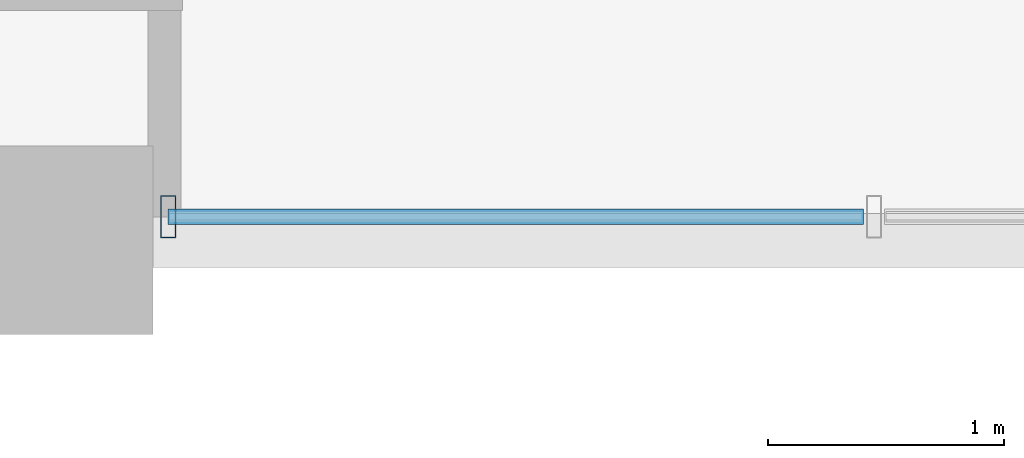
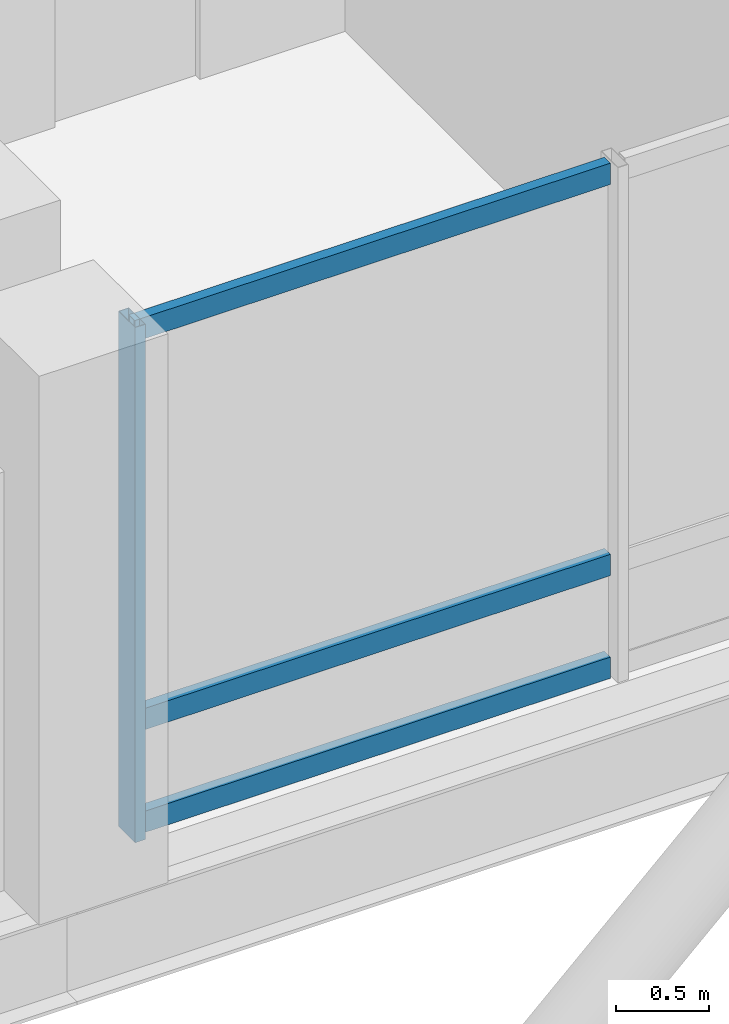
# One storey, part 2 of 24: 4 members, 1 element without a shape of its own.
"""IFC4 building model written with IfcOpenShell, lengths in metres."""

from ifc_helpers import new_model, si_unit, direction, frame, origin, origin_2d, place, context, subcontext, project, spatial, hollow_rectangle, extrude, material, layer, layer_set, material_profile, profile_set, type_object, element, aggregate, save


model = new_model("IFC4")

# Units and contexts
model_context = context("Model", 3, precision=1e-05, world=origin(), true_north=direction((0.0, 1.0)))
body_context = subcontext(model_context, "Body", "Model", "MODEL_VIEW")
ifc_project = project(units=[si_unit("LENGTHUNIT", "METRE"), si_unit("AREAUNIT", "SQUARE_METRE"), si_unit("VOLUMEUNIT", "CUBIC_METRE"), si_unit("PLANEANGLEUNIT", "RADIAN"), si_unit("MASSUNIT", "GRAM", prefix="KILO")], contexts=[model_context])

# Site, building, storey
site_placement = place(None, origin())
site = spatial("IfcSite", under=ifc_project, at=site_placement, CompositionType="ELEMENT")
building_placement = place(site_placement, origin())
building = spatial("IfcBuilding", under=site, at=building_placement, Name="Barlavira Tower and Art Museum", CompositionType="ELEMENT")
storey_placement = place(building_placement, frame((0.0, 0.0, 194.39990234375)))
storey = spatial("IfcBuildingStorey", under=building, at=storey_placement, Name="L50", CompositionType="ELEMENT", Elevation=194.39990234375)

# Curtain wall, members
ifc_material_1 = material(Name="Low-iron coastal laminated glass", Category="glass")
ifc_layer = layer(ifc_material_1, 0.199951171875, Name="Low-iron coastal laminated glass")
ifc_layer_set = layer_set([ifc_layer], Name="Low-iron coastal laminated glass")
curtain_wall_type = type_object("IfcCurtainWallType", Name="Pale-Metal Unitised Curtain Wall Zone 3", PredefinedType="NOTDEFINED", material=ifc_layer_set)
curtain_wall_placement = place(storey_placement, origin())
curtain_wall = element("IfcCurtainWall", 1, at=curtain_wall_placement, inside=storey, type_object=curtain_wall_type, Name="L50 Curtain Wall CW3-L50-S-B3", PredefinedType="NOTDEFINED")
ifc_material_2 = material(Name="Pale anodised aluminium", Category="aluminium")
ifc_material_profile_1 = material_profile(ifc_material_2, hollow_rectangle(XDim=0.06494140625, YDim=0.179931640625, WallThickness=0.00390625, at=origin_2d()), Name="ALU-MULL 65x180x4")
ifc_profile_set_1 = profile_set([ifc_material_profile_1], Name="Pale anodised aluminium")
member_type_1 = type_object("IfcMemberType", Name="Curtain Wall Pale-Metal Mullion 65x180", PredefinedType="MULLION", material=ifc_profile_set_1)
member_1_placement = place(storey_placement, frame((-6.034912109375, -21.39990234375, 0.0), z_axis=(0.0, 0.0, 1.0), x_axis=(1.0, 0.0, 0.0)))
member_1 = element("IfcMember", 2, at=member_1_placement, type_object=member_type_1, Name="CW3-L50-S-B3 Mullion 0", PredefinedType="MULLION", context=body_context, shape_type="SweptSolid", body=[
    extrude(hollow_rectangle(XDim=0.06494140625, YDim=0.179931640625, WallThickness=0.00390625, at=origin_2d()), origin(), (0.0, 0.0, 1.0), 3.380126953125),
])
ifc_material_profile_2 = material_profile(ifc_material_2, hollow_rectangle(XDim=0.06494140625, YDim=0.139892578125, WallThickness=0.00390625, at=origin_2d()), Name="ALU-TRAN 65x140x4")
ifc_profile_set_2 = profile_set([ifc_material_profile_2], Name="Pale anodised aluminium")
member_type_2 = type_object("IfcMemberType", Name="Curtain Wall Pale-Metal Transom 65x140", PredefinedType="USERDEFINED", material=ifc_profile_set_2)
member_2_placement = place(storey_placement, frame((-6.034912109375, -21.39990234375, 0.070068359375), z_axis=(1.0, 0.0, 0.0), x_axis=(0.0, 1.0, 0.0)))
member_2 = element("IfcMember", 3, at=member_2_placement, type_object=member_type_2, Name="CW3-L50-S-B3 Transom 0.1", ObjectType="TRANSOM", PredefinedType="USERDEFINED", context=body_context, shape_type="SweptSolid", body=[
    extrude(hollow_rectangle(XDim=0.06494140625, YDim=0.139892578125, WallThickness=0.00390625, at=origin_2d()), origin(), (0.0, 0.0, 1.0), 2.949951171875),
])
member_3_placement = place(storey_placement, frame((-6.034912109375, -21.39990234375, 0.744140625), z_axis=(1.0, 0.0, 0.0), x_axis=(0.0, 1.0, 0.0)))
member_3 = element("IfcMember", 4, at=member_3_placement, type_object=member_type_2, Name="CW3-L50-S-B3 Transom 0.2", ObjectType="TRANSOM", PredefinedType="USERDEFINED", context=body_context, shape_type="SweptSolid", body=[
    extrude(hollow_rectangle(XDim=0.06494140625, YDim=0.139892578125, WallThickness=0.00390625, at=origin_2d()), origin(), (0.0, 0.0, 1.0), 2.949951171875),
])
member_4_placement = place(storey_placement, frame((-6.034912109375, -21.39990234375, 3.31005859375), z_axis=(1.0, 0.0, 0.0), x_axis=(0.0, 1.0, 0.0)))
member_4 = element("IfcMember", 5, at=member_4_placement, type_object=member_type_2, Name="CW3-L50-S-B3 Transom 0.3", ObjectType="TRANSOM", PredefinedType="USERDEFINED", context=body_context, shape_type="SweptSolid", body=[
    extrude(hollow_rectangle(XDim=0.06494140625, YDim=0.139892578125, WallThickness=0.00390625, at=origin_2d()), origin(), (0.0, 0.0, 1.0), 2.949951171875),
])
aggregate(curtain_wall, [member_1, member_2, member_3, member_4])

save(model, "model.ifc")
